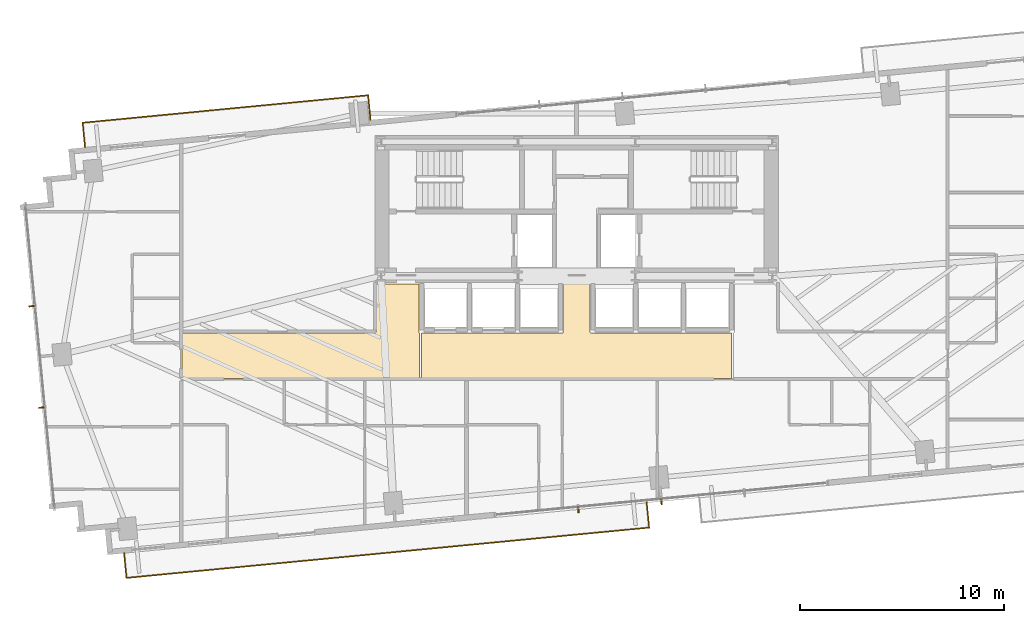
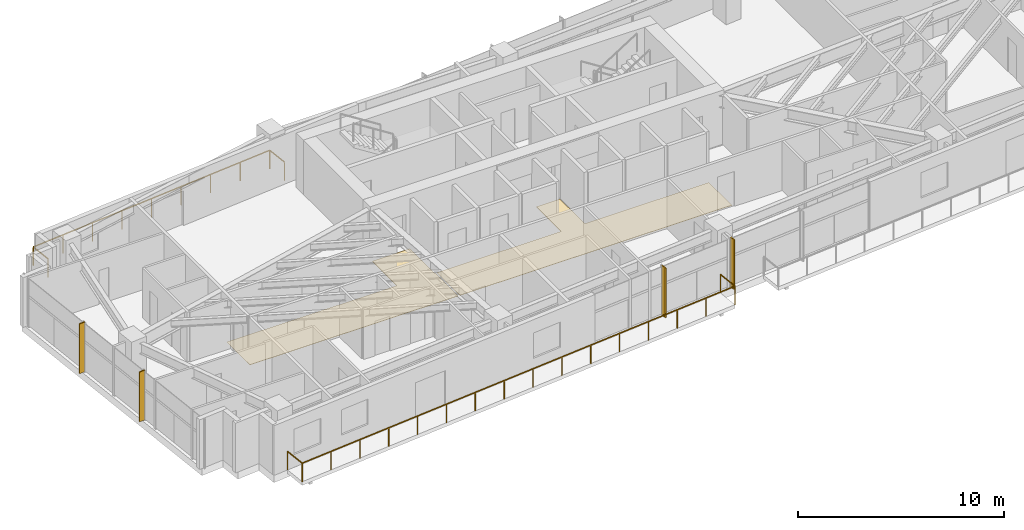
# One storey, part 23 of 25: 4 shading devices, 2 coverings, 2 railings.
"""IFC4 building model written with IfcOpenShell, lengths in metres."""

from ifc_helpers import new_model, si_unit, direction, frame, origin, origin_2d, place, context, subcontext, project, spatial, polyline, rectangle, outline, extrude, source, transform, mapped, material, layer, layer_set, type_object, type_shapes, element, save


model = new_model("IFC4")

# Units and contexts
model_context = context("Model", 3, precision=1e-05, world=origin(), true_north=direction((0.0, 1.0)))
body_context = subcontext(model_context, "Body", "Model", "MODEL_VIEW")
ifc_project = project(units=[si_unit("LENGTHUNIT", "METRE"), si_unit("AREAUNIT", "SQUARE_METRE"), si_unit("VOLUMEUNIT", "CUBIC_METRE"), si_unit("PLANEANGLEUNIT", "RADIAN"), si_unit("MASSUNIT", "GRAM", prefix="KILO")], contexts=[model_context])

# Site, building, storey
site_placement = place(None, origin())
site = spatial("IfcSite", under=ifc_project, at=site_placement, CompositionType="ELEMENT")
building_placement = place(site_placement, origin())
building = spatial("IfcBuilding", under=site, at=building_placement, Name="Astriad Promenade Condominiums", CompositionType="ELEMENT")
storey_placement = place(building_placement, frame((0.0, 0.0, 77.800048828125)))
storey = spatial("IfcBuildingStorey", under=building, at=storey_placement, Name="L21", CompositionType="ELEMENT", Elevation=77.800048828125)

# Coverings
ifc_material_1 = material(Name="Polished Lakefront Terrazzo Flooring")
ifc_layer = layer(ifc_material_1, 0.02001953125)
ifc_layer_set = layer_set([ifc_layer], Name="Polished Lakefront Terrazzo Flooring")
covering_type = type_object("IfcCoveringType", Name="COV-FLOR-TERRAZZO-20", PredefinedType="FLOORING", material=ifc_layer_set)
covering_1_placement = place(storey_placement, origin())
element("IfcCovering", 1, at=covering_1_placement, inside=storey, type_object=covering_type, Name="FLR-L21-LLB", PredefinedType="FLOORING", context=body_context, shape_type="SweptSolid", body=[
    extrude(outline(polyline([(43.610107421875, 14.610107421875), (43.610107421875, 12.389892578125), (28.389892578125, 12.389892578125), (28.389892578125, 14.610107421875), (35.300048828125, 14.610107421875), (35.303955078125, 14.610107421875), (35.307861328125, 14.61083984375), (35.3115234375, 14.61181640625), (35.315185546875, 14.613037109375), (35.31884765625, 14.61474609375), (35.322265625, 14.61669921875), (35.325439453125, 14.619140625), (35.328369140625, 14.62158203125), (35.330810546875, 14.62451171875), (35.333251953125, 14.627685546875), (35.335205078125, 14.631103515625), (35.3369140625, 14.634765625), (35.33837890625, 14.638427734375), (35.339111328125, 14.64208984375), (35.33984375, 14.64599609375), (35.340087890625, 14.64990234375), (35.340087890625, 17.010009765625), (36.659912109375, 17.010009765625), (36.659912109375, 14.64990234375), (36.66015625, 14.64599609375), (36.660888671875, 14.64208984375), (36.66162109375, 14.638427734375), (36.6630859375, 14.634765625), (36.664794921875, 14.631103515625), (36.666748046875, 14.627685546875), (36.669189453125, 14.62451171875), (36.671630859375, 14.62158203125), (36.674560546875, 14.619140625), (36.677734375, 14.61669921875), (36.68115234375, 14.61474609375), (36.684814453125, 14.613037109375), (36.6884765625, 14.61181640625), (36.692138671875, 14.61083984375), (36.696044921875, 14.610107421875), (36.699951171875, 14.610107421875), (43.610107421875, 14.610107421875)])), origin(), (0.0, 0.0, 1.0), 0.02001953125),
])
covering_2_placement = place(storey_placement, origin())
element("IfcCovering", 2, at=covering_2_placement, inside=storey, type_object=covering_type, Name="FLR-L21-COR-2", PredefinedType="FLOORING", context=body_context, shape_type="SweptSolid", body=[
    extrude(outline(polyline([(28.300048828125, 12.389892578125), (16.639892578125, 12.389892578125), (16.639892578125, 14.6201171875), (26.1201171875, 14.6201171875), (26.123779296875, 14.6201171875), (26.127685546875, 14.620849609375), (26.131591796875, 14.62158203125), (26.13525390625, 14.623046875), (26.138916015625, 14.624755859375), (26.14208984375, 14.626708984375), (26.1455078125, 14.629150390625), (26.148193359375, 14.631591796875), (26.15087890625, 14.634521484375), (26.1533203125, 14.6376953125), (26.1552734375, 14.64111328125), (26.156982421875, 14.644775390625), (26.158203125, 14.6484375), (26.1591796875, 14.652099609375), (26.159912109375, 14.656005859375), (26.159912109375, 14.659912109375), (26.159912109375, 17.010009765625), (28.260009765625, 17.010009765625), (28.260009765625, 14.64990234375), (28.26025390625, 14.64599609375), (28.2607421875, 14.64208984375), (28.26171875, 14.638427734375), (28.262939453125, 14.634765625), (28.2646484375, 14.631103515625), (28.2666015625, 14.627685546875), (28.26904296875, 14.62451171875), (28.271728515625, 14.62158203125), (28.274658203125, 14.619140625), (28.27783203125, 14.61669921875), (28.281005859375, 14.61474609375), (28.28466796875, 14.613037109375), (28.288330078125, 14.61181640625), (28.292236328125, 14.61083984375), (28.296142578125, 14.610107421875), (28.300048828125, 14.610107421875), (28.300048828125, 12.389892578125)])), origin(), (0.0, 0.0, 1.0), 0.02001953125),
])

# Shading devices
ifc_material_2 = material(Name="Anodised aluminium 6063-T6 Black Fin", Category="aluminium")
shading_device_type = type_object("IfcShadingDeviceType", Name="FIN-BLACK-320", PredefinedType="USERDEFINED", material=ifc_material_2)
shared_shape_1 = source(origin(), body_context, "Body", "SweptSolid", [
    extrude(rectangle(XDim=0.06494140625, YDim=0.320068359375, at=origin_2d()), origin(), (0.0, 0.0, 1.0), 2.93994140625),
])
type_shapes(shading_device_type, [shared_shape_1])
for number, where, z_axis, x_axis, name in (
    (3, (9.766845703125, 10.954345703125, 0.0), (0.0, 0.0, 1.0), (-0.09584575252, 0.995396198367, 0.0), "CW-L21-W-FIN-01"),
    (4, (9.28759765625, 15.931396484375, 0.0), (0.0, 0.0, 1.0), (-0.09584575252, 0.995396198367, 0.0), "CW-L21-W-FIN-02"),
    (5, (40.159423828125, 6.3359375, 0.0), (0.0, 0.0, 1.0), (-0.995396198367, -0.09584575252, 0.0), "CW-L21-S-FIN-02"),
    (6, (36.083251953125, 5.943603515625, 0.0), (0.0, 0.0, 1.0), (-0.995396198367, -0.09584575252, 0.0), "CW-L21-S-FIN-03"),
):
    element("IfcShadingDevice", number, at=place(storey_placement, frame(where, z_axis=z_axis, x_axis=x_axis)), inside=storey, type_object=shading_device_type, Name=name, ObjectType="FIN", PredefinedType="USERDEFINED", context=body_context, shape_type="MappedRepresentation", body=[
        mapped(shared_shape_1, transform((0.0, 0.0, 0.0), scale=1.0)),
    ])

# Railings
ifc_material_3 = material(Name="Laminated Glass and Stainless Steel Balustrade", Category="steel")
railing_type = type_object("IfcRailingType", Name="GRD-BALC-1120", PredefinedType="BALUSTRADE", material=ifc_material_3)
shared_shape_2 = source(origin(), body_context, "Body", "SweptSolid", [
    extrude(rectangle(XDim=0.048095703125, YDim=0.048095703125, at=origin_2d()), frame((0.0, 0.0, 1.09619140625), z_axis=(0.095857307208, -0.99539508571, 0.0), x_axis=(0.99539508571, 0.095857307208, 0.0)), (0.0, 0.0, 1.0), 1.219970703125),
    extrude(rectangle(XDim=0.048095703125, YDim=0.048095703125, at=origin_2d()), frame((0.116943359375, -1.21435546875, 1.09619140625), z_axis=(0.995395945368, 0.095848379982, 0.0), x_axis=(-0.095848379982, 0.995395945368, 0.0)), (0.0, 0.0, 1.0), 25.761962890625),
    extrude(rectangle(XDim=0.048095703125, YDim=0.048095703125, at=origin_2d()), frame((25.76025390625, 1.2548828125, 1.09619140625), z_axis=(-0.095857307208, 0.99539508571, 0.0), x_axis=(-0.99539508571, -0.095857307208, 0.0)), (0.0, 0.0, 1.0), 1.219970703125),
    extrude(rectangle(XDim=0.0419921875, YDim=0.0419921875, at=origin_2d()), origin(), (0.0, 0.0, 1.0), 1.072021484375),
    extrude(rectangle(XDim=0.0419921875, YDim=0.0419921875, at=origin_2d()), frame((0.116943359375, -1.21435546875, 0.0)), (0.0, 0.0, 1.0), 1.072021484375),
    extrude(rectangle(XDim=0.0419921875, YDim=0.0419921875, at=origin_2d()), frame((1.826416015625, -1.0498046875, 0.0)), (0.0, 0.0, 1.0), 1.072021484375),
    extrude(rectangle(XDim=0.0419921875, YDim=0.0419921875, at=origin_2d()), frame((3.5361328125, -0.885009765625, 0.0)), (0.0, 0.0, 1.0), 1.072021484375),
    extrude(rectangle(XDim=0.0419921875, YDim=0.0419921875, at=origin_2d()), frame((5.24560546875, -0.720458984375, 0.0)), (0.0, 0.0, 1.0), 1.072021484375),
    extrude(rectangle(XDim=0.0419921875, YDim=0.0419921875, at=origin_2d()), frame((6.955078125, -0.555908203125, 0.0)), (0.0, 0.0, 1.0), 1.072021484375),
    extrude(rectangle(XDim=0.0419921875, YDim=0.0419921875, at=origin_2d()), frame((8.664794921875, -0.391357421875, 0.0)), (0.0, 0.0, 1.0), 1.072021484375),
    extrude(rectangle(XDim=0.0419921875, YDim=0.0419921875, at=origin_2d()), frame((10.374267578125, -0.2265625, 0.0)), (0.0, 0.0, 1.0), 1.072021484375),
    extrude(rectangle(XDim=0.0419921875, YDim=0.0419921875, at=origin_2d()), frame((12.083740234375, -0.06201171875, 0.0)), (0.0, 0.0, 1.0), 1.072021484375),
    extrude(rectangle(XDim=0.0419921875, YDim=0.0419921875, at=origin_2d()), frame((13.79345703125, 0.1025390625, 0.0)), (0.0, 0.0, 1.0), 1.072021484375),
    extrude(rectangle(XDim=0.0419921875, YDim=0.0419921875, at=origin_2d()), frame((15.5029296875, 0.26708984375, 0.0)), (0.0, 0.0, 1.0), 1.072021484375),
    extrude(rectangle(XDim=0.0419921875, YDim=0.0419921875, at=origin_2d()), frame((17.21240234375, 0.431884765625, 0.0)), (0.0, 0.0, 1.0), 1.072021484375),
    extrude(rectangle(XDim=0.0419921875, YDim=0.0419921875, at=origin_2d()), frame((18.922119140625, 0.596435546875, 0.0)), (0.0, 0.0, 1.0), 1.072021484375),
    extrude(rectangle(XDim=0.0419921875, YDim=0.0419921875, at=origin_2d()), frame((20.631591796875, 0.760986328125, 0.0)), (0.0, 0.0, 1.0), 1.072021484375),
    extrude(rectangle(XDim=0.0419921875, YDim=0.0419921875, at=origin_2d()), frame((22.341064453125, 0.925537109375, 0.0)), (0.0, 0.0, 1.0), 1.072021484375),
    extrude(rectangle(XDim=0.0419921875, YDim=0.0419921875, at=origin_2d()), frame((24.05078125, 1.09033203125, 0.0)), (0.0, 0.0, 1.0), 1.072021484375),
    extrude(rectangle(XDim=0.0419921875, YDim=0.0419921875, at=origin_2d()), frame((25.76025390625, 1.2548828125, 0.0)), (0.0, 0.0, 1.0), 1.072021484375),
    extrude(rectangle(XDim=0.0419921875, YDim=0.0419921875, at=origin_2d()), frame((25.643310546875, 2.46923828125, 0.0)), (0.0, 0.0, 1.0), 1.072021484375),
])
railing_1_placement = place(storey_placement, frame((13.79638671875, 3.8076171875, 0.0)))
element("IfcRailing", 7, at=railing_1_placement, inside=storey, type_object=railing_type, Name="GRD-BALC-L21-SW", PredefinedType="BALUSTRADE", context=body_context, shape_type="MappedRepresentation", body=[
    mapped(shared_shape_2, transform((0.0, 0.0, 0.0), scale=1.0)),
])
shared_shape_3 = source(origin(), body_context, "Body", "SweptSolid", [
    extrude(rectangle(XDim=0.048095703125, YDim=0.048095703125, at=origin_2d()), frame((0.0, 0.0, 1.09619140625), z_axis=(-0.095857307208, 0.99539508571, 0.0), x_axis=(-0.99539508571, -0.095857307208, 0.0)), (0.0, 0.0, 1.0), 1.219970703125),
    extrude(rectangle(XDim=0.048095703125, YDim=0.048095703125, at=origin_2d()), frame((-0.116943359375, 1.21435546875, 1.09619140625), z_axis=(-0.99539662561, -0.095841315334, 0.0), x_axis=(0.095841315334, -0.99539662561, 0.0)), (0.0, 0.0, 1.0), 14.073974609375),
    extrude(rectangle(XDim=0.048095703125, YDim=0.048095703125, at=origin_2d()), frame((-14.126220703125, -0.134521484375, 1.09619140625), z_axis=(0.095857307208, -0.99539508571, 0.0), x_axis=(0.99539508571, 0.095857307208, 0.0)), (0.0, 0.0, 1.0), 1.219970703125),
    extrude(rectangle(XDim=0.0419921875, YDim=0.0419921875, at=origin_2d()), origin(), (0.0, 0.0, 1.0), 1.072021484375),
    extrude(rectangle(XDim=0.0419921875, YDim=0.0419921875, at=origin_2d()), frame((-0.116943359375, 1.21435546875, 0.0)), (0.0, 0.0, 1.0), 1.072021484375),
    extrude(rectangle(XDim=0.0419921875, YDim=0.0419921875, at=origin_2d()), frame((-1.8681640625, 1.045654296875, 0.0)), (0.0, 0.0, 1.0), 1.072021484375),
    extrude(rectangle(XDim=0.0419921875, YDim=0.0419921875, at=origin_2d()), frame((-3.619140625, 0.877197265625, 0.0)), (0.0, 0.0, 1.0), 1.072021484375),
    extrude(rectangle(XDim=0.0419921875, YDim=0.0419921875, at=origin_2d()), frame((-5.370361328125, 0.70849609375, 0.0)), (0.0, 0.0, 1.0), 1.072021484375),
    extrude(rectangle(XDim=0.0419921875, YDim=0.0419921875, at=origin_2d()), frame((-7.12158203125, 0.5400390625, 0.0)), (0.0, 0.0, 1.0), 1.072021484375),
    extrude(rectangle(XDim=0.0419921875, YDim=0.0419921875, at=origin_2d()), frame((-8.872802734375, 0.371337890625, 0.0)), (0.0, 0.0, 1.0), 1.072021484375),
    extrude(rectangle(XDim=0.0419921875, YDim=0.0419921875, at=origin_2d()), frame((-10.6240234375, 0.20263671875, 0.0)), (0.0, 0.0, 1.0), 1.072021484375),
    extrude(rectangle(XDim=0.0419921875, YDim=0.0419921875, at=origin_2d()), frame((-12.375, 0.0341796875, 0.0)), (0.0, 0.0, 1.0), 1.072021484375),
    extrude(rectangle(XDim=0.0419921875, YDim=0.0419921875, at=origin_2d()), frame((-14.126220703125, -0.134521484375, 0.0)), (0.0, 0.0, 1.0), 1.072021484375),
    extrude(rectangle(XDim=0.0419921875, YDim=0.0419921875, at=origin_2d()), frame((-14.00927734375, -1.348876953125, 0.0)), (0.0, 0.0, 1.0), 1.072021484375),
])
type_shapes(railing_type, [shared_shape_2, shared_shape_3])
railing_2_placement = place(storey_placement, frame((25.888671875, 25.064453125, 0.0)))
element("IfcRailing", 8, at=railing_2_placement, inside=storey, type_object=railing_type, Name="GRD-BALC-L21-NW", PredefinedType="BALUSTRADE", context=body_context, shape_type="MappedRepresentation", body=[
    mapped(shared_shape_3, transform((0.0, 0.0, 0.0), scale=1.0)),
])

save(model, "model.ifc")
